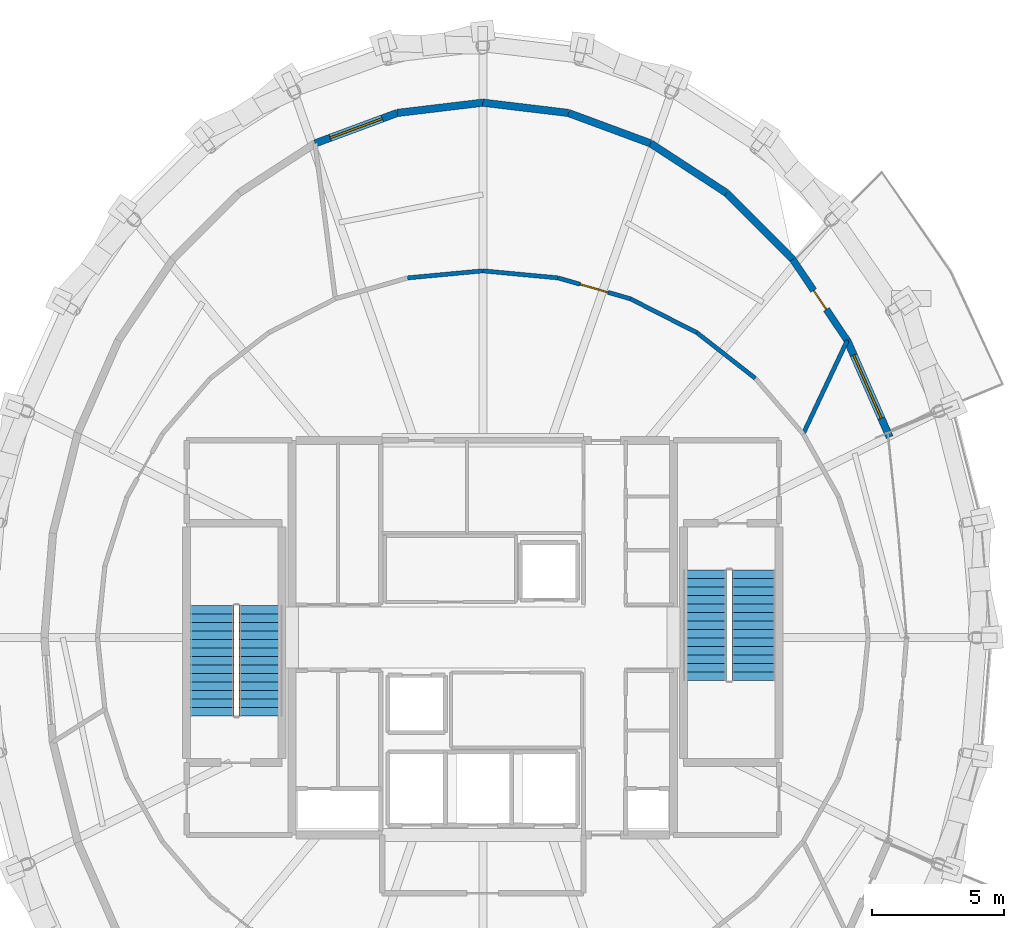
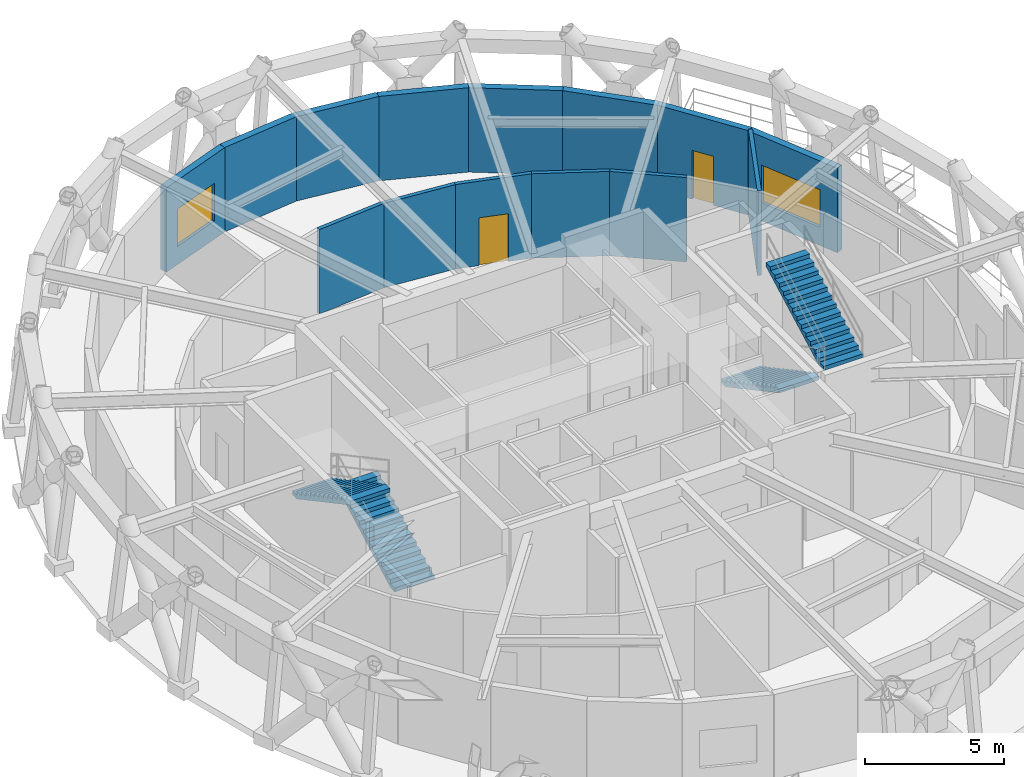
# One storey, part 10 of 11: 14 walls, 4 stair flights, 2 doors, 2 windows, 4 openings, 2 elements without a shape of their own.
"""IFC4 building model written with IfcOpenShell, lengths in metres."""

from ifc_helpers import new_model, si_unit, direction, frame, frame_2d, origin, place, context, subcontext, project, spatial, polyline, rectangle, outline, extrude, material, layer, layer_set, type_object, element, fill, aggregate, save


model = new_model("IFC4")

# Units and contexts
model_context = context("Model", 3, precision=1e-05, world=origin(), true_north=direction((0.0, 1.0)))
body_context = subcontext(model_context, "Body", "Model", "MODEL_VIEW")
ifc_project = project(units=[si_unit("LENGTHUNIT", "METRE"), si_unit("AREAUNIT", "SQUARE_METRE"), si_unit("VOLUMEUNIT", "CUBIC_METRE"), si_unit("PLANEANGLEUNIT", "RADIAN"), si_unit("MASSUNIT", "GRAM", prefix="KILO")], contexts=[model_context])

# Site, building, storey
site_placement = place(None, origin())
site = spatial("IfcSite", under=ifc_project, at=site_placement, CompositionType="ELEMENT")
building_placement = place(site_placement, origin())
building = spatial("IfcBuilding", under=site, at=building_placement, Name="Veldorina Hangang Commons", CompositionType="ELEMENT")
storey_placement = place(building_placement, frame((0.0, 0.0, 297.60009765625)))
storey = spatial("IfcBuildingStorey", under=building, at=storey_placement, Name="L78", CompositionType="ELEMENT", Elevation=297.60009765625)

# Wall, opening, door
ifc_material_1 = material(Name="Stone Roman Travertine", Category="masonry")
ifc_layer_1 = layer(ifc_material_1, 0.260009765625)
ifc_layer_set_1 = layer_set([ifc_layer_1], Name="Stone Roman Travertine")
wall_type_1 = type_object("IfcWallType", Name="EW-LOGGIA-260", PredefinedType="STANDARD", material=ifc_layer_set_1)
wall_1_placement = place(storey_placement, frame((45.7607421875, 35.222412109375, 0.0), z_axis=(0.0, 0.0, 1.0), x_axis=(-0.55793393731, 0.82988536654, 0.0)))
wall_1 = element("IfcWall", 1, at=wall_1_placement, inside=storey, type_object=wall_type_1, Name="L78 sky-garden loggia portal wall 03", PredefinedType="STANDARD", context=body_context, shape_type="SweptSolid", body=[
    extrude(rectangle(XDim=3.688720703125, YDim=0.260009765625, at=frame_2d((1.84423828125, 0.0))), origin(), (0.0, 0.0, 1.0), 3.7099609375),
])
opening_1_placement = place(wall_1_placement, frame((1.414306640625, 0.0, 0.0)))
opening_1 = element("IfcOpeningElement", 2, at=opening_1_placement, cuts=wall_1, Name="Opening BD-860", PredefinedType="OPENING", context=body_context, shape_type="SweptSolid", body=[
    extrude(rectangle(XDim=0.860107421875, YDim=2.14990234375, at=frame_2d((0.43017578125, 1.074951171875))), frame((0.0, 0.14013671875, 0.0), z_axis=(0.0, -1.0, 0.0), x_axis=(1.0, 0.0, 0.0)), (0.0, 0.0, 1.0), 0.280029296875),
])
ifc_material_2 = material(Name="Glass Thermal Aluminium Frame", Category="aluminium")
door_type_1 = type_object("IfcDoorType", Name="DR-EXT-LOG860", OperationType="SINGLE_SWING_LEFT", PredefinedType="DOOR", material=ifc_material_2)
door_1_placement = place(opening_1_placement, origin())
door_1 = element("IfcDoor", 3, at=door_1_placement, inside=storey, type_object=door_type_1, Name="L78 tree balcony glazed exterior door 03", OperationType="SINGLE_SWING_RIGHT", OverallHeight=2.14990234375, OverallWidth=0.860107421875, PredefinedType="DOOR", context=body_context, shape_type="SweptSolid", body=[
    extrude(rectangle(XDim=0.860107421875, YDim=2.14990234375, at=frame_2d((0.43017578125, 1.074951171875))), frame((0.0, 0.02490234375, 0.0), z_axis=(0.0, -1.0, 0.0), x_axis=(1.0, 0.0, 0.0)), (0.0, 0.0, 1.0), 0.050048828125),
])
fill(opening_1, door_1)

# Wall, opening, window
ifc_layer_2 = layer(ifc_material_1, 0.280029296875)
ifc_layer_set_2 = layer_set([ifc_layer_2], Name="Stone Roman Travertine")
wall_type_2 = type_object("IfcWallType", Name="EW-TRAV-280", PredefinedType="STANDARD", material=ifc_layer_set_2)
wall_2_placement = place(storey_placement, frame((47.35986328125, 31.5712890625, 0.0), z_axis=(0.0, 0.0, 1.0), x_axis=(-0.401188310362, 0.915995600224, 0.0)))
wall_2 = element("IfcWall", 4, at=wall_2_placement, inside=storey, type_object=wall_type_2, Name="L78 travertine facade wall 02", PredefinedType="STANDARD", context=body_context, shape_type="SweptSolid", body=[
    extrude(rectangle(XDim=3.98583984375, YDim=0.280029296875, at=frame_2d((1.992919921875, 0.0))), origin(), (0.0, 0.0, 1.0), 3.7099609375),
])
opening_2_placement = place(wall_2_placement, frame((0.77978515625, 0.0, 0.800048828125)))
opening_2 = element("IfcOpeningElement", 5, at=opening_2_placement, cuts=wall_2, Name="Opening W-02", PredefinedType="OPENING", context=body_context, shape_type="SweptSolid", body=[
    extrude(rectangle(XDim=2.60009765625, YDim=1.64990234375, at=frame_2d((1.300048828125, 0.824951171875))), frame((0.0, 0.14990234375, 0.0), z_axis=(0.0, -1.0, 0.0), x_axis=(1.0, 0.0, 0.0)), (0.0, 0.0, 1.0), 0.300048828125),
])
ifc_material_3 = material(Name="Glass Low-E Triple IGU", Category="glass")
window_type_1 = type_object("IfcWindowType", Name="WIN-TWR-2600", PartitioningType="SINGLE_PANEL", PredefinedType="WINDOW", material=ifc_material_3)
window_1_placement = place(opening_2_placement, origin())
window_1 = element("IfcWindow", 6, at=window_1_placement, inside=storey, type_object=window_type_1, Name="L78 facade window 02", OverallHeight=1.64990234375, OverallWidth=2.60009765625, PartitioningType="SINGLE_PANEL", PredefinedType="WINDOW", context=body_context, shape_type="SweptSolid", body=[
    extrude(rectangle(XDim=2.60009765625, YDim=1.64990234375, at=frame_2d((1.300048828125, 0.824951171875))), frame((0.0, 0.030029296875, 0.0), z_axis=(0.0, -1.0, 0.0), x_axis=(1.0, 0.0, 0.0)), (0.0, 0.0, 1.0), 0.06005859375),
])
fill(opening_2, window_1)

# Walls
wall_3_placement = place(storey_placement, frame((43.70263671875, 38.28369140625, 0.0), z_axis=(0.0, 0.0, 1.0), x_axis=(-0.706556343152, 0.707656791073, 0.0)))
element("IfcWall", 7, at=wall_3_placement, inside=storey, type_object=wall_type_2, Name="L78 travertine facade wall 04", PredefinedType="STANDARD", context=body_context, shape_type="SweptSolid", body=[
    extrude(rectangle(XDim=3.5498046875, YDim=0.280029296875, at=frame_2d((1.77490234375, 0.0))), origin(), (0.0, 0.0, 1.0), 3.7099609375),
])
wall_4_placement = place(storey_placement, frame((41.194580078125, 40.795654296875, 0.0), z_axis=(0.0, 0.0, 1.0), x_axis=(-0.837506795295, 0.546426909875, 0.0)))
element("IfcWall", 8, at=wall_4_placement, inside=storey, type_object=wall_type_2, Name="L78 travertine facade wall 05", PredefinedType="STANDARD", context=body_context, shape_type="SweptSolid", body=[
    extrude(rectangle(XDim=3.416259765625, YDim=0.280029296875, at=frame_2d((1.7080078125, 0.0))), origin(), (0.0, 0.0, 1.0), 3.7099609375),
])
wall_5_placement = place(storey_placement, frame((38.33349609375, 42.662353515625, 0.0), z_axis=(0.0, 0.0, 1.0), x_axis=(-0.937772775671, 0.347249508582, 0.0)))
element("IfcWall", 9, at=wall_5_placement, inside=storey, type_object=wall_type_2, Name="L78 travertine facade wall 06", PredefinedType="STANDARD", context=body_context, shape_type="SweptSolid", body=[
    extrude(rectangle(XDim=3.310791015625, YDim=0.280029296875, at=frame_2d((1.6552734375, 0.0))), origin(), (0.0, 0.0, 1.0), 3.7099609375),
])
for number, where, z_axis, x_axis, name in (
    (10, (35.228759765625, 43.81201171875, 0.0), (0.0, 0.0, 1.0), (-0.992859065369, 0.119293236663, 0.0), "L78 travertine facade wall 07"),
    (11, (32.0, 44.199951171875, 0.0), (0.0, 0.0, 1.0), (-0.992859065369, -0.119293236663, 0.0), "L78 travertine facade wall 08"),
):
    element("IfcWall", number, at=place(storey_placement, frame(where, z_axis=z_axis, x_axis=x_axis)), inside=storey, type_object=wall_type_2, Name=name, PredefinedType="STANDARD", context=body_context, shape_type="SweptSolid", body=[
        extrude(rectangle(XDim=3.251953125, YDim=0.280029296875, at=frame_2d((1.6259765625, 0.0))), origin(), (0.0, 0.0, 1.0), 3.7099609375),
    ])

# Wall, opening, window
wall_6_placement = place(storey_placement, frame((28.771240234375, 43.81201171875, 0.0), z_axis=(0.0, 0.0, 1.0), x_axis=(-0.937772775671, -0.347249508582, 0.0)))
wall_6 = element("IfcWall", 12, at=wall_6_placement, inside=storey, type_object=wall_type_2, Name="L78 travertine facade wall 09", PredefinedType="STANDARD", context=body_context, shape_type="SweptSolid", body=[
    extrude(rectangle(XDim=3.310791015625, YDim=0.280029296875, at=frame_2d((1.6552734375, 0.0))), origin(), (0.0, 0.0, 1.0), 3.7099609375),
])
opening_3_placement = place(wall_6_placement, frame((0.605224609375, 0.0, 0.800048828125)))
opening_3 = element("IfcOpeningElement", 13, at=opening_3_placement, cuts=wall_6, Name="Opening W-03", PredefinedType="OPENING", context=body_context, shape_type="SweptSolid", body=[
    extrude(rectangle(XDim=2.10009765625, YDim=1.64990234375, at=frame_2d((1.050048828125, 0.824951171875))), frame((0.0, 0.14990234375, 0.0), z_axis=(0.0, -1.0, 0.0), x_axis=(1.0, 0.0, 0.0)), (0.0, 0.0, 1.0), 0.300048828125),
])
window_type_2 = type_object("IfcWindowType", Name="WIN-TWR-2100", PartitioningType="SINGLE_PANEL", PredefinedType="WINDOW", material=ifc_material_3)
window_2_placement = place(opening_3_placement, origin())
window_2 = element("IfcWindow", 14, at=window_2_placement, inside=storey, type_object=window_type_2, Name="L78 facade window 09", OverallHeight=1.64990234375, OverallWidth=2.10009765625, PartitioningType="SINGLE_PANEL", PredefinedType="WINDOW", context=body_context, shape_type="SweptSolid", body=[
    extrude(rectangle(XDim=2.10009765625, YDim=1.64990234375, at=frame_2d((1.050048828125, 0.824951171875))), frame((0.0, 0.030029296875, 0.0), z_axis=(0.0, -1.0, 0.0), x_axis=(1.0, 0.0, 0.0)), (0.0, 0.0, 1.0), 0.06005859375),
])
fill(opening_3, window_2)

# Walls
ifc_material_4 = material(Name="Gypsum Fire-Rated Twin Stud Wall", Category="gypsum")
ifc_layer_3 = layer(ifc_material_4, 0.159912109375)
ifc_layer_set_3 = layer_set([ifc_layer_3], Name="Gypsum Fire-Rated Twin Stud Wall")
wall_type_3 = type_object("IfcWallType", Name="WL-FIRE-160", PredefinedType="SOLIDWALL", material=ifc_layer_set_3)
wall_7_placement = place(storey_placement, frame((42.288330078125, 33.79345703125, 0.0), z_axis=(0.0, 0.0, 1.0), x_axis=(-0.788044217139, 0.615618641558, 0.0)))
element("IfcWall", 15, at=wall_7_placement, inside=storey, type_object=wall_type_3, Name="L78 Sky gallery wall 04 060", PredefinedType="SOLIDWALL", context=body_context, shape_type="SweptSolid", body=[
    extrude(rectangle(XDim=2.7978515625, YDim=0.159912109375, at=frame_2d((1.39892578125, 0.0))), origin(), (0.0, 0.0, 1.0), 3.7099609375),
])
wall_8_placement = place(storey_placement, frame((40.08349609375, 35.515869140625, 0.0), z_axis=(0.0, 0.0, 1.0), x_axis=(-0.891273737135, 0.453465682817, 0.0)))
element("IfcWall", 16, at=wall_8_placement, inside=storey, type_object=wall_type_3, Name="L78 Sky gallery wall 05 061", PredefinedType="SOLIDWALL", context=body_context, shape_type="SweptSolid", body=[
    extrude(rectangle(XDim=2.822265625, YDim=0.159912109375, at=frame_2d((1.4111328125, 0.0))), origin(), (0.0, 0.0, 1.0), 3.7099609375),
])

# Wall, opening, door
wall_9_placement = place(storey_placement, frame((37.568115234375, 36.795654296875, 0.0), z_axis=(0.0, 0.0, 1.0), x_axis=(-0.96073200199, 0.277477963723, 0.0)))
wall_9 = element("IfcWall", 17, at=wall_9_placement, inside=storey, type_object=wall_type_3, Name="L78 Sky gallery wall 06 062", PredefinedType="SOLIDWALL", context=body_context, shape_type="SweptSolid", body=[
    extrude(rectangle(XDim=2.841064453125, YDim=0.159912109375, at=frame_2d((1.42041015625, 0.0))), origin(), (0.0, 0.0, 1.0), 3.7099609375),
])
opening_4_placement = place(wall_9_placement, frame((0.870361328125, 0.0, 0.0)))
opening_4 = element("IfcOpeningElement", 18, at=opening_4_placement, cuts=wall_9, Name="Opening D-08", PredefinedType="OPENING", context=body_context, shape_type="SweptSolid", body=[
    extrude(rectangle(XDim=1.10009765625, YDim=2.10009765625, at=frame_2d((0.550048828125, 1.050048828125))), frame((0.0, 0.08984375, 0.0), z_axis=(0.0, -1.0, 0.0), x_axis=(1.0, 0.0, 0.0)), (0.0, 0.0, 1.0), 0.179931640625),
])
ifc_material_5 = material(Name="Steel Fire-Rated Smoke Seal", Category="steel")
door_type_2 = type_object("IfcDoorType", Name="DR-FIRE-1100", OperationType="SINGLE_SWING_RIGHT", PredefinedType="DOOR", material=ifc_material_5)
door_2_placement = place(opening_4_placement, origin())
door_2 = element("IfcDoor", 19, at=door_2_placement, inside=storey, type_object=door_type_2, Name="L78 Horizon Observatory Lounge entrance door 027", OperationType="SINGLE_SWING_LEFT", OverallHeight=2.10009765625, OverallWidth=1.10009765625, PredefinedType="DOOR", context=body_context, shape_type="SweptSolid", body=[
    extrude(rectangle(XDim=1.10009765625, YDim=2.10009765625, at=frame_2d((0.550048828125, 1.050048828125))), frame((0.0, 0.02490234375, 0.0), z_axis=(0.0, -1.0, 0.0), x_axis=(1.0, 0.0, 0.0)), (0.0, 0.0, 1.0), 0.050048828125),
])
fill(opening_4, door_2)

# Walls
for number, where, z_axis, x_axis, name in (
    (20, (34.838623046875, 37.583984375, 0.0), (0.0, 0.0, 1.0), (-0.995634474743, 0.093338056031, 0.0), "L78 Sky gallery wall 07 063"),
    (21, (32.0, 37.85009765625, 0.0), (0.0, 0.0, 1.0), (-0.995634474743, -0.093338056031, 0.0), "L78 Sky gallery wall 08 064"),
):
    element("IfcWall", number, at=place(storey_placement, frame(where, z_axis=z_axis, x_axis=x_axis)), inside=storey, type_object=wall_type_3, Name=name, PredefinedType="SOLIDWALL", context=body_context, shape_type="SweptSolid", body=[
        extrude(rectangle(XDim=2.85107421875, YDim=0.159912109375, at=frame_2d((1.425537109375, 0.0))), origin(), (0.0, 0.0, 1.0), 3.7099609375),
    ])
wall_10_placement = place(storey_placement, frame((44.097900390625, 31.694580078125, 0.0), z_axis=(0.0, 0.0, 1.0), x_axis=(0.426360697911, 0.904553235181, 0.0)))
element("IfcWall", 22, at=wall_10_placement, inside=storey, type_object=wall_type_3, Name="L78 Sky lobby radial wall 2 089", PredefinedType="SOLIDWALL", context=body_context, shape_type="SweptSolid", body=[
    extrude(rectangle(XDim=3.900146484375, YDim=0.159912109375, at=frame_2d((1.9501953125, 0.0))), origin(), (0.0, 0.0, 1.0), 3.7099609375),
])

# Stair, stair flights
ifc_material_6 = material(Name="Concrete C40/50", Category="concrete")
stair_type = type_object("IfcStairType", Name="STR-DOG-1650-28R", PredefinedType="HALF_TURN_STAIR", material=ifc_material_6)
stair_1_placement = place(storey_placement, origin())
stair_1 = element("IfcStair", 23, at=stair_1_placement, inside=storey, type_object=stair_type, Name="L78 Exit stair ST-1", PredefinedType="HALF_TURN_STAIR")
stair_flight_type = type_object("IfcStairFlightType", Name="SFL-STR-1650-28R", PredefinedType="STRAIGHT", material=ifc_material_6)
stair_flight_1_placement = place(storey_placement, frame((23.625, 21.050048828125, 0.0), z_axis=(0.0, 0.0, 1.0), x_axis=(0.0, 1.0, 0.0)))
stair_flight_1 = element("IfcStairFlight", 24, at=stair_flight_1_placement, type_object=stair_flight_type, Name="ST-1 flight 1", NumberOfRisers=14, NumberOfTreads=13, PredefinedType="STRAIGHT", RiserHeight=0.171428571, TreadLength=0.32, context=body_context, shape_type="SweptSolid", body=[
    extrude(outline(polyline([(0.0, 0.0), (0.0, 0.17138671875), (0.320068359375, 0.17138671875), (0.320068359375, 0.3427734375), (0.639892578125, 0.3427734375), (0.639892578125, 0.514404296875), (0.9599609375, 0.514404296875), (0.9599609375, 0.685791015625), (1.280029296875, 0.685791015625), (1.280029296875, 0.857177734375), (1.60009765625, 0.857177734375), (1.60009765625, 1.028564453125), (1.919921875, 1.028564453125), (1.919921875, 1.199951171875), (2.239990234375, 1.199951171875), (2.239990234375, 1.371337890625), (2.56005859375, 1.371337890625), (2.56005859375, 1.54296875), (2.8798828125, 1.54296875), (2.8798828125, 1.71435546875), (3.199951171875, 1.71435546875), (3.199951171875, 1.8857421875), (3.52001953125, 1.8857421875), (3.52001953125, 2.05712890625), (3.840087890625, 2.05712890625), (3.840087890625, 2.228515625), (4.159912109375, 2.228515625), (4.159912109375, 2.39990234375), (4.159912109375, 2.05859375), (0.3173828125, 0.0), (0.0, 0.0)])), frame((0.0, 0.824951171875, 0.0), z_axis=(0.0, -1.0, 0.0), x_axis=(1.0, 0.0, 0.0)), (0.0, 0.0, 1.0), 1.64990234375),
])
stair_flight_2_placement = place(storey_placement, frame((21.77490234375, 25.2099609375, 2.39990234375), z_axis=(0.0, 0.0, 1.0), x_axis=(0.0, -1.0, 0.0)))
stair_flight_2 = element("IfcStairFlight", 25, at=stair_flight_2_placement, type_object=stair_flight_type, Name="ST-1 flight 2", NumberOfRisers=14, NumberOfTreads=13, PredefinedType="STRAIGHT", RiserHeight=0.171428571, TreadLength=0.32, context=body_context, shape_type="SweptSolid", body=[
    extrude(outline(polyline([(0.0, 0.0), (0.0, 0.17138671875), (0.320068359375, 0.17138671875), (0.320068359375, 0.3427734375), (0.639892578125, 0.3427734375), (0.639892578125, 0.514404296875), (0.9599609375, 0.514404296875), (0.9599609375, 0.685791015625), (1.280029296875, 0.685791015625), (1.280029296875, 0.857177734375), (1.60009765625, 0.857177734375), (1.60009765625, 1.028564453125), (1.919921875, 1.028564453125), (1.919921875, 1.199951171875), (2.239990234375, 1.199951171875), (2.239990234375, 1.371337890625), (2.56005859375, 1.371337890625), (2.56005859375, 1.54296875), (2.8798828125, 1.54296875), (2.8798828125, 1.71435546875), (3.199951171875, 1.71435546875), (3.199951171875, 1.8857421875), (3.52001953125, 1.8857421875), (3.52001953125, 2.05712890625), (3.840087890625, 2.05712890625), (3.840087890625, 2.228515625), (4.159912109375, 2.228515625), (4.159912109375, 2.39990234375), (4.159912109375, 2.05859375), (0.3173828125, 0.0), (0.0, 0.0)])), frame((0.0, 0.824951171875, 0.0), z_axis=(0.0, -1.0, 0.0), x_axis=(1.0, 0.0, 0.0)), (0.0, 0.0, 1.0), 1.64990234375),
])
aggregate(stair_1, [stair_flight_1, stair_flight_2])

stair_2_placement = place(storey_placement, origin())
stair_2 = element("IfcStair", 26, at=stair_2_placement, inside=storey, type_object=stair_type, Name="L78 Exit stair ST-2", PredefinedType="HALF_TURN_STAIR")
stair_flight_3_placement = place(storey_placement, frame((40.375, 26.550048828125, 0.0), z_axis=(0.0, 0.0, 1.0), x_axis=(0.0, -1.0, 0.0)))
stair_flight_3 = element("IfcStairFlight", 27, at=stair_flight_3_placement, type_object=stair_flight_type, Name="ST-2 flight 1", NumberOfRisers=14, NumberOfTreads=13, PredefinedType="STRAIGHT", RiserHeight=0.171428571, TreadLength=0.32, context=body_context, shape_type="SweptSolid", body=[
    extrude(outline(polyline([(0.0, 0.0), (0.0, 0.17138671875), (0.320068359375, 0.17138671875), (0.320068359375, 0.3427734375), (0.639892578125, 0.3427734375), (0.639892578125, 0.514404296875), (0.9599609375, 0.514404296875), (0.9599609375, 0.685791015625), (1.280029296875, 0.685791015625), (1.280029296875, 0.857177734375), (1.60009765625, 0.857177734375), (1.60009765625, 1.028564453125), (1.919921875, 1.028564453125), (1.919921875, 1.199951171875), (2.239990234375, 1.199951171875), (2.239990234375, 1.371337890625), (2.56005859375, 1.371337890625), (2.56005859375, 1.54296875), (2.8798828125, 1.54296875), (2.8798828125, 1.71435546875), (3.199951171875, 1.71435546875), (3.199951171875, 1.8857421875), (3.52001953125, 1.8857421875), (3.52001953125, 2.05712890625), (3.840087890625, 2.05712890625), (3.840087890625, 2.228515625), (4.159912109375, 2.228515625), (4.159912109375, 2.39990234375), (4.159912109375, 2.05859375), (0.3173828125, 0.0), (0.0, 0.0)])), frame((0.0, 0.824951171875, 0.0), z_axis=(0.0, -1.0, 0.0), x_axis=(1.0, 0.0, 0.0)), (0.0, 0.0, 1.0), 1.64990234375),
])
stair_flight_4_placement = place(storey_placement, frame((42.22509765625, 22.389892578125, 2.39990234375), z_axis=(0.0, 0.0, 1.0), x_axis=(0.0, 1.0, 0.0)))
stair_flight_4 = element("IfcStairFlight", 28, at=stair_flight_4_placement, type_object=stair_flight_type, Name="ST-2 flight 2", NumberOfRisers=14, NumberOfTreads=13, PredefinedType="STRAIGHT", RiserHeight=0.171428571, TreadLength=0.32, context=body_context, shape_type="SweptSolid", body=[
    extrude(outline(polyline([(0.0, 0.0), (0.0, 0.17138671875), (0.320068359375, 0.17138671875), (0.320068359375, 0.3427734375), (0.639892578125, 0.3427734375), (0.639892578125, 0.514404296875), (0.9599609375, 0.514404296875), (0.9599609375, 0.685791015625), (1.280029296875, 0.685791015625), (1.280029296875, 0.857177734375), (1.60009765625, 0.857177734375), (1.60009765625, 1.028564453125), (1.919921875, 1.028564453125), (1.919921875, 1.199951171875), (2.239990234375, 1.199951171875), (2.239990234375, 1.371337890625), (2.56005859375, 1.371337890625), (2.56005859375, 1.54296875), (2.8798828125, 1.54296875), (2.8798828125, 1.71435546875), (3.199951171875, 1.71435546875), (3.199951171875, 1.8857421875), (3.52001953125, 1.8857421875), (3.52001953125, 2.05712890625), (3.840087890625, 2.05712890625), (3.840087890625, 2.228515625), (4.159912109375, 2.228515625), (4.159912109375, 2.39990234375), (4.159912109375, 2.05859375), (0.3173828125, 0.0), (0.0, 0.0)])), frame((0.0, 0.824951171875, 0.0), z_axis=(0.0, -1.0, 0.0), x_axis=(1.0, 0.0, 0.0)), (0.0, 0.0, 1.0), 1.64990234375),
])
aggregate(stair_2, [stair_flight_3, stair_flight_4])

save(model, "model.ifc")
